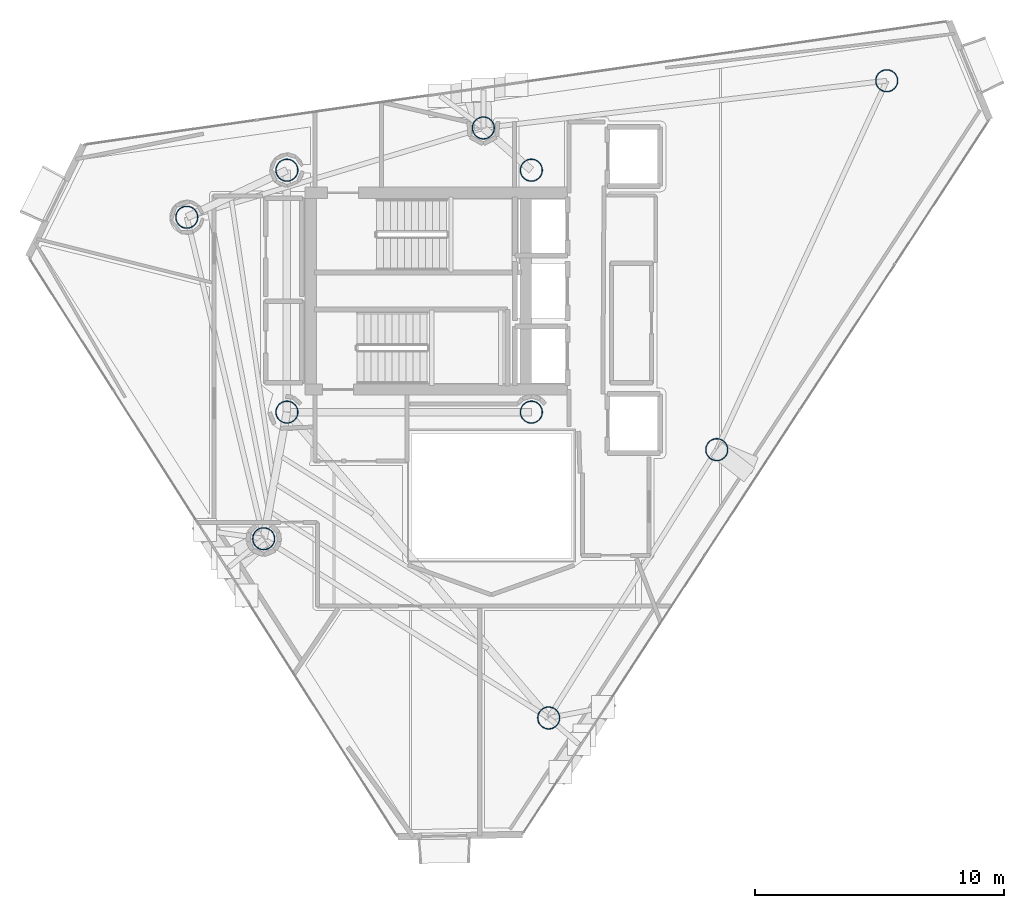
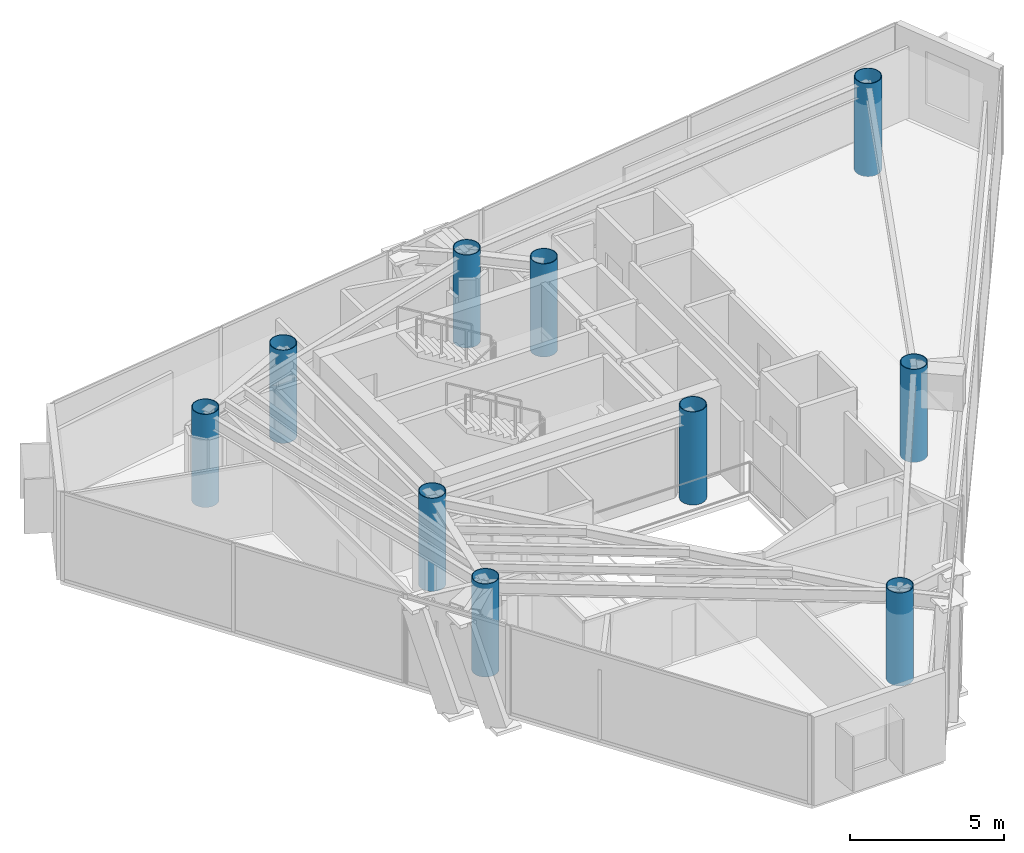
# One storey, part 1 of 25: 10 columns.
"""IFC4 building model written with IfcOpenShell, lengths in metres."""

from ifc_helpers import new_model, si_unit, direction, frame, origin, origin_2d, place, context, subcontext, project, spatial, hollow_circle, extrude, material, material_profile, profile_set, type_object, element, save


model = new_model("IFC4")

# Units and contexts
model_context = context("Model", 3, precision=1e-05, world=origin(), true_north=direction((0.0, 1.0)))
body_context = subcontext(model_context, "Body", "Model", "MODEL_VIEW")
ifc_project = project(units=[si_unit("LENGTHUNIT", "METRE"), si_unit("AREAUNIT", "SQUARE_METRE"), si_unit("VOLUMEUNIT", "CUBIC_METRE"), si_unit("PLANEANGLEUNIT", "RADIAN"), si_unit("MASSUNIT", "GRAM", prefix="KILO")], contexts=[model_context])

# Site, building, storey
site_placement = place(None, origin())
site = spatial("IfcSite", under=ifc_project, at=site_placement, CompositionType="ELEMENT")
building_placement = place(site_placement, origin())
building = spatial("IfcBuilding", under=site, at=building_placement, Name="Qianvela Tower", CompositionType="ELEMENT")
storey_placement = place(building_placement, frame((0.0, 0.0, 295.39990234375)))
storey = spatial("IfcBuildingStorey", under=building, at=storey_placement, Name="L76", CompositionType="ELEMENT", Elevation=295.39990234375)

# Columns
ifc_material = material(Name="Steel Q420GJC", Category="steel")
ifc_material_profile = material_profile(ifc_material, hollow_circle(Radius=0.449951171875, WallThickness=0.02490234375, at=origin_2d()), Name="CFT-900x25")
ifc_profile_set = profile_set([ifc_material_profile], Name="Steel Q420GJC")
column_type = type_object("IfcColumnType", Name="COL-CFT-900x25", PredefinedType="COLUMN", material=ifc_profile_set)
for number, where, z_axis, x_axis, name in (
    (1, (28.60009765625, 33.550048828125, 0.0), (0.0, 0.0, 1.0), (1.0, 0.0, 0.0), "L76 Core Corner Mega-Column CC-NW"),
    (2, (28.60009765625, 23.85009765625, 0.0), (0.0, 0.0, 1.0), (1.0, 0.0, 0.0), "L76 Core Corner Mega-Column CC-SW"),
    (3, (38.39990234375, 33.550048828125, 0.0), (0.0, 0.0, 1.0), (1.0, 0.0, 0.0), "L76 Core Corner Mega-Column CC-NE"),
    (4, (38.39990234375, 23.85009765625, 0.0), (0.0, 0.0, 1.0), (1.0, 0.0, 0.0), "L76 Core Corner Mega-Column CC-SE"),
    (5, (52.64794921875, 37.135009765625, 0.0), (0.0, 0.0, 1.0), (1.0, 0.0, 0.0), "L76 Zone Z7 CFT Mega-Column C1"),
    (6, (36.47607421875, 35.242919921875, 0.0), (0.0, 0.0, 1.0), (1.0, 0.0, 0.0), "L76 Zone Z7 CFT Mega-Column C2"),
    (7, (24.5869140625, 31.6630859375, 0.0), (0.0, 0.0, 1.0), (1.0, 0.0, 0.0), "L76 Zone Z7 CFT Mega-Column C3"),
    (8, (27.669921875, 18.77392578125, 0.0), (0.0, 0.0, 1.0), (1.0, 0.0, 0.0), "L76 Zone Z7 CFT Mega-Column C4"),
    (9, (39.095947265625, 11.587890625, 0.0), (0.0, 0.0, 1.0), (1.0, 0.0, 0.0), "L76 Zone Z7 CFT Mega-Column C5"),
    (10, (45.833984375, 22.344970703125, 0.0), (0.0, 0.0, 1.0), (1.0, 0.0, 0.0), "L76 Zone Z7 CFT Mega-Column C6"),
):
    element("IfcColumn", number, at=place(storey_placement, frame(where, z_axis=z_axis, x_axis=x_axis)), inside=storey, type_object=column_type, Name=name, PredefinedType="COLUMN", context=body_context, shape_type="SweptSolid", body=[
        extrude(hollow_circle(Radius=0.449951171875, WallThickness=0.02490234375, at=origin_2d()), origin(), (0.0, 0.0, 1.0), 3.7001953125),
    ])

save(model, "model.ifc")
